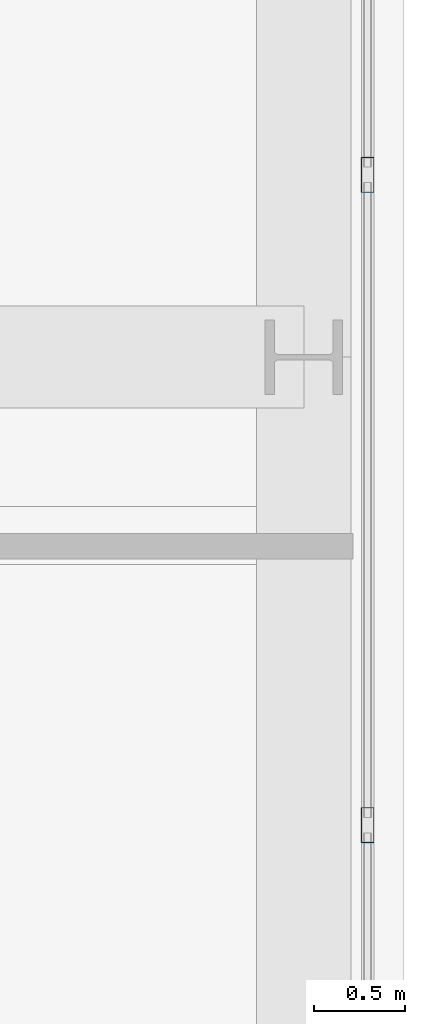
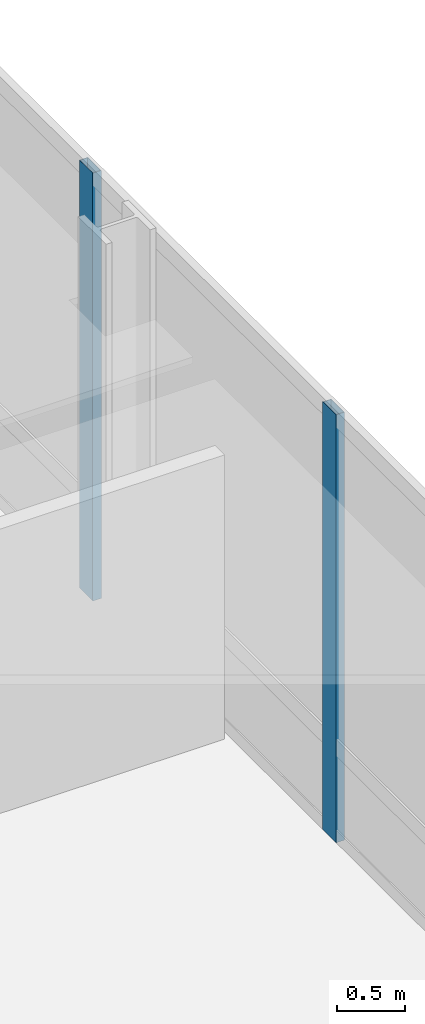
# One storey, part 17 of 36: 2 members, 1 element without a shape of its own.
"""IFC4 building model written with IfcOpenShell, lengths in metres."""

from ifc_helpers import new_model, si_unit, direction, frame, origin, origin_2d, place, context, subcontext, project, spatial, hollow_rectangle, extrude, material, material_profile, profile_set, type_object, element, aggregate, save


model = new_model("IFC4")

# Units and contexts
model_context = context("Model", 3, precision=1e-05, world=origin(), true_north=direction((0.0, 1.0)))
body_context = subcontext(model_context, "Body", "Model", "MODEL_VIEW")
ifc_project = project(units=[si_unit("LENGTHUNIT", "METRE"), si_unit("AREAUNIT", "SQUARE_METRE"), si_unit("VOLUMEUNIT", "CUBIC_METRE"), si_unit("PLANEANGLEUNIT", "RADIAN"), si_unit("MASSUNIT", "GRAM", prefix="KILO")], contexts=[model_context])

# Site, building, storey
site_placement = place(None, origin())
site = spatial("IfcSite", under=ifc_project, at=site_placement, CompositionType="ELEMENT")
building_placement = place(site_placement, origin())
building = spatial("IfcBuilding", under=site, at=building_placement, Name="Punatoya Terracotta Tower", CompositionType="ELEMENT")
storey_placement = place(building_placement, frame((0.0, 0.0, 208.64990234375)))
storey = spatial("IfcBuildingStorey", under=building, at=storey_placement, Name="L49", CompositionType="ELEMENT", Elevation=208.64990234375)

# Curtain wall, members
ifc_material_1 = material(Name="Aluminium 6063-T6 + Double Low-E Glass", Category="aluminium")
curtain_wall_type = type_object("IfcCurtainWallType", Name="CW-M2", PredefinedType="NOTDEFINED", material=ifc_material_1)
curtain_wall_placement = place(storey_placement, origin())
curtain_wall = element("IfcCurtainWall", 1, at=curtain_wall_placement, inside=storey, type_object=curtain_wall_type, Name="L49 Curtain Wall CW-L49-E05-1", PredefinedType="NOTDEFINED")
ifc_material_2 = material(Name="Aluminium 6063-T6", Category="aluminium")
ifc_material_profile = material_profile(ifc_material_2, hollow_rectangle(XDim=0.072021484375, YDim=0.195068359375, WallThickness=0.00439453125, at=origin_2d()))
ifc_profile_set = profile_set([ifc_material_profile], Name="Aluminium 6063-T6")
member_type = type_object("IfcMemberType", Name="CW-MUL-M2", PredefinedType="MULLION", material=ifc_profile_set)
member_1_placement = place(storey_placement, frame((24.85009765625, -5.96728515625, 0.0), z_axis=(0.0, 0.0, 1.0), x_axis=(1.0, 0.0, 0.0)))
member_1 = element("IfcMember", 2, at=member_1_placement, type_object=member_type, Name="CW-L49-E05-1 Mullion 04", PredefinedType="MULLION", context=body_context, shape_type="SweptSolid", body=[
    extrude(hollow_rectangle(XDim=0.072021484375, YDim=0.195068359375, WallThickness=0.00439453125, at=origin_2d()), origin(), (0.0, 0.0, 1.0), 3.830078125),
])
member_2_placement = place(storey_placement, frame((24.85009765625, -2.39990234375, 0.0), z_axis=(0.0, 0.0, 1.0), x_axis=(1.0, 0.0, 0.0)))
member_2 = element("IfcMember", 3, at=member_2_placement, type_object=member_type, Name="CW-L49-E05-1 Mullion 05", PredefinedType="MULLION", context=body_context, shape_type="SweptSolid", body=[
    extrude(hollow_rectangle(XDim=0.072021484375, YDim=0.195068359375, WallThickness=0.00439453125, at=origin_2d()), origin(), (0.0, 0.0, 1.0), 3.830078125),
])
aggregate(curtain_wall, [member_1, member_2])

save(model, "model.ifc")
